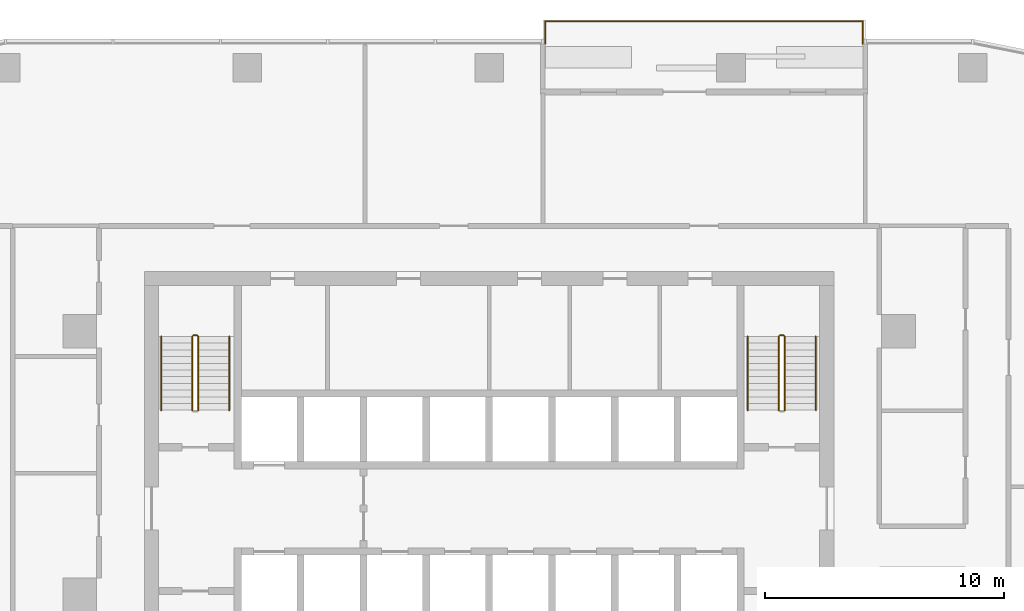
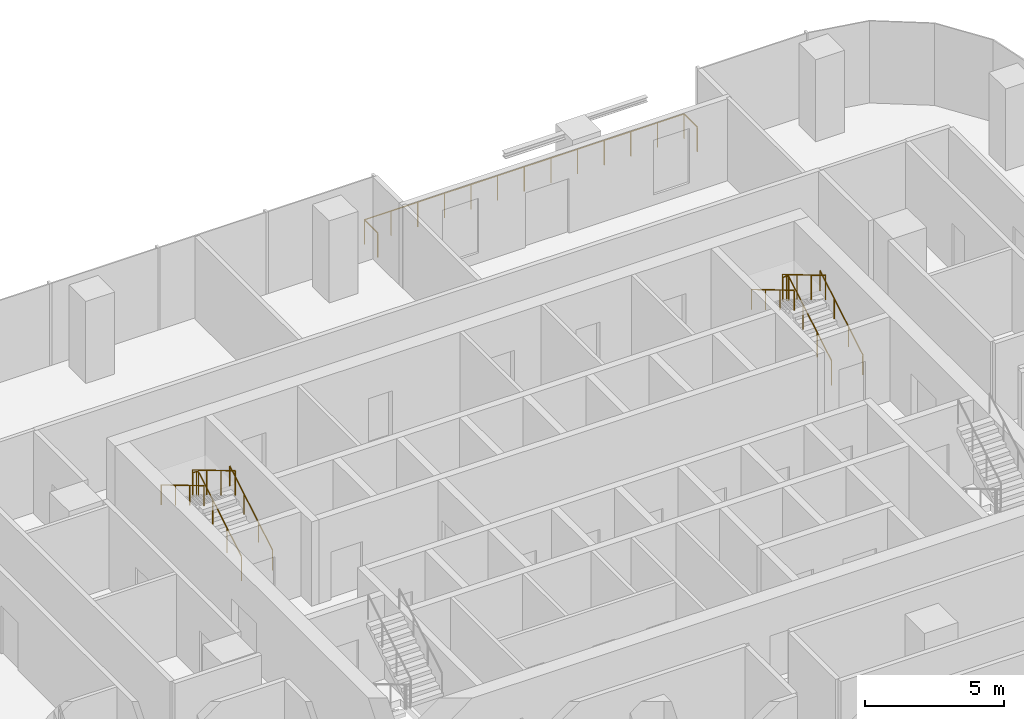
# One storey, part 14 of 14: 9 railings.
"""IFC4 building model written with IfcOpenShell, lengths in metres."""

from ifc_helpers import new_model, si_unit, direction, frame, origin, origin_2d, place, context, subcontext, project, spatial, circle, extrude, material, type_object, element, save


model = new_model("IFC4")

# Units and contexts
model_context = context("Model", 3, precision=1e-05, world=origin(), true_north=direction((0.0, 1.0)))
body_context = subcontext(model_context, "Body", "Model", "MODEL_VIEW")
ifc_project = project(units=[si_unit("LENGTHUNIT", "METRE"), si_unit("AREAUNIT", "SQUARE_METRE"), si_unit("VOLUMEUNIT", "CUBIC_METRE"), si_unit("PLANEANGLEUNIT", "RADIAN"), si_unit("MASSUNIT", "GRAM", prefix="KILO")], contexts=[model_context])

# Site, building, storey
site_placement = place(None, origin())
site = spatial("IfcSite", under=ifc_project, at=site_placement, CompositionType="ELEMENT")
building_placement = place(site_placement, origin())
building = spatial("IfcBuilding", under=site, at=building_placement, Name="Mopane Tessera Tower", CompositionType="ELEMENT")
storey_placement = place(building_placement, frame((0.0, 0.0, 185.0)))
storey = spatial("IfcBuildingStorey", under=building, at=storey_placement, Name="L38", CompositionType="ELEMENT", Elevation=185.0)

# Railings
ifc_material_1 = material(Name="Powder-coated steel balustrade", Category="steel")
railing_type_1 = type_object("IfcRailingType", Name="Escape stair guard 1100 mm", PredefinedType="GUARDRAIL", material=ifc_material_1)
railing_1_placement = place(storey_placement, frame((-12.14990234375, 7.699951171875, 0.166748046875)))
element("IfcRailing", 1, at=railing_1_placement, inside=storey, type_object=railing_type_1, Name="L38 ST2 stair guard 1", PredefinedType="GUARDRAIL", context=body_context, shape_type="SweptSolid", body=[
    extrude(circle(Radius=0.02392578125, at=origin_2d()), frame((0.0, 0.0, 1.076171875), z_axis=(0.0, 0.859308565015, 0.511457515432), x_axis=(-1.0, 0.0, 0.0)), (0.0, 0.0, 1.0), 3.58447265625),
    extrude(circle(Radius=0.02392578125, at=origin_2d()), frame((0.0, 3.080078125, 2.9091796875), z_axis=(-0.707106781187, 0.707106781187, 0.0), x_axis=(-0.707106781187, -0.707106781187, 0.0)), (0.0, 0.0, 1.0), 0.07080078125),
    extrude(circle(Radius=0.02392578125, at=origin_2d()), frame((-0.050048828125, 3.130126953125, 2.9091796875), z_axis=(-1.0, 0.0, 0.0), x_axis=(0.0, -1.0, 0.0)), (0.0, 0.0, 1.0), 0.150146484375),
    extrude(circle(Radius=0.02099609375, at=origin_2d()), origin(), (0.0, 0.0, 1.0), 1.052001953125),
    extrude(circle(Radius=0.02099609375, at=origin_2d()), frame((0.0, 1.026611328125, 0.611083984375)), (0.0, 0.0, 1.0), 1.052001953125),
    extrude(circle(Radius=0.02099609375, at=origin_2d()), frame((0.0, 2.053466796875, 1.22216796875)), (0.0, 0.0, 1.0), 1.052001953125),
    extrude(circle(Radius=0.02099609375, at=origin_2d()), frame((0.0, 3.080078125, 1.833251953125)), (0.0, 0.0, 1.0), 1.052001953125),
    extrude(circle(Radius=0.02099609375, at=origin_2d()), frame((-0.050048828125, 3.130126953125, 1.833251953125)), (0.0, 0.0, 1.0), 1.052001953125),
    extrude(circle(Radius=0.02099609375, at=origin_2d()), frame((-0.2001953125, 3.130126953125, 1.833251953125)), (0.0, 0.0, 1.0), 1.052001953125),
])
railing_2_placement = place(storey_placement, frame((-12.39990234375, 10.780029296875, 2.166748046875)))
element("IfcRailing", 2, at=railing_2_placement, inside=storey, type_object=railing_type_1, Name="L38 ST2 stair guard 2", PredefinedType="GUARDRAIL", context=body_context, shape_type="SweptSolid", body=[
    extrude(circle(Radius=0.02392578125, at=origin_2d()), frame((0.0, 0.0, 1.076171875), z_axis=(0.0, -0.859308565015, 0.511457515432), x_axis=(1.0, 0.0, 0.0)), (0.0, 0.0, 1.0), 3.58447265625),
    extrude(circle(Radius=0.02099609375, at=origin_2d()), origin(), (0.0, 0.0, 1.0), 1.052001953125),
    extrude(circle(Radius=0.02099609375, at=origin_2d()), frame((0.0, -1.026611328125, 0.611083984375)), (0.0, 0.0, 1.0), 1.052001953125),
    extrude(circle(Radius=0.02099609375, at=origin_2d()), frame((0.0, -2.053466796875, 1.22216796875)), (0.0, 0.0, 1.0), 1.052001953125),
    extrude(circle(Radius=0.02099609375, at=origin_2d()), frame((0.0, -3.080078125, 1.833251953125)), (0.0, 0.0, 1.0), 1.052001953125),
])
railing_3_placement = place(storey_placement, frame((12.35009765625, 7.699951171875, 0.166748046875)))
element("IfcRailing", 3, at=railing_3_placement, inside=storey, type_object=railing_type_1, Name="L38 ST4 stair guard 1", PredefinedType="GUARDRAIL", context=body_context, shape_type="SweptSolid", body=[
    extrude(circle(Radius=0.02392578125, at=origin_2d()), frame((0.0, 0.0, 1.076171875), z_axis=(0.0, 0.859308565015, 0.511457515432), x_axis=(-1.0, 0.0, 0.0)), (0.0, 0.0, 1.0), 3.58447265625),
    extrude(circle(Radius=0.02392578125, at=origin_2d()), frame((0.0, 3.080078125, 2.9091796875), z_axis=(-0.707106781187, 0.707106781187, 0.0), x_axis=(-0.707106781187, -0.707106781187, 0.0)), (0.0, 0.0, 1.0), 0.07080078125),
    extrude(circle(Radius=0.02392578125, at=origin_2d()), frame((-0.050048828125, 3.130126953125, 2.9091796875), z_axis=(-1.0, 0.0, 0.0), x_axis=(0.0, -1.0, 0.0)), (0.0, 0.0, 1.0), 0.150146484375),
    extrude(circle(Radius=0.02099609375, at=origin_2d()), origin(), (0.0, 0.0, 1.0), 1.052001953125),
    extrude(circle(Radius=0.02099609375, at=origin_2d()), frame((0.0, 1.026611328125, 0.611083984375)), (0.0, 0.0, 1.0), 1.052001953125),
    extrude(circle(Radius=0.02099609375, at=origin_2d()), frame((0.0, 2.053466796875, 1.22216796875)), (0.0, 0.0, 1.0), 1.052001953125),
    extrude(circle(Radius=0.02099609375, at=origin_2d()), frame((0.0, 3.080078125, 1.833251953125)), (0.0, 0.0, 1.0), 1.052001953125),
    extrude(circle(Radius=0.02099609375, at=origin_2d()), frame((-0.050048828125, 3.130126953125, 1.833251953125)), (0.0, 0.0, 1.0), 1.052001953125),
    extrude(circle(Radius=0.02099609375, at=origin_2d()), frame((-0.2001953125, 3.130126953125, 1.833251953125)), (0.0, 0.0, 1.0), 1.052001953125),
])
railing_4_placement = place(storey_placement, frame((12.10009765625, 10.780029296875, 2.166748046875)))
element("IfcRailing", 4, at=railing_4_placement, inside=storey, type_object=railing_type_1, Name="L38 ST4 stair guard 2", PredefinedType="GUARDRAIL", context=body_context, shape_type="SweptSolid", body=[
    extrude(circle(Radius=0.02392578125, at=origin_2d()), frame((0.0, 0.0, 1.076171875), z_axis=(0.0, -0.859308565015, 0.511457515432), x_axis=(1.0, 0.0, 0.0)), (0.0, 0.0, 1.0), 3.58447265625),
    extrude(circle(Radius=0.02099609375, at=origin_2d()), origin(), (0.0, 0.0, 1.0), 1.052001953125),
    extrude(circle(Radius=0.02099609375, at=origin_2d()), frame((0.0, -1.026611328125, 0.611083984375)), (0.0, 0.0, 1.0), 1.052001953125),
    extrude(circle(Radius=0.02099609375, at=origin_2d()), frame((0.0, -2.053466796875, 1.22216796875)), (0.0, 0.0, 1.0), 1.052001953125),
    extrude(circle(Radius=0.02099609375, at=origin_2d()), frame((0.0, -3.080078125, 1.833251953125)), (0.0, 0.0, 1.0), 1.052001953125),
])
ifc_material_2 = material(Name="Powder-coated steel balustrade", Category="steel")
railing_type_2 = type_object("IfcRailingType", Name="Escape stair handrail 900 mm", PredefinedType="HANDRAIL", material=ifc_material_2)
railing_5_placement = place(storey_placement, frame((-10.85009765625, 7.699951171875, 0.166748046875)))
element("IfcRailing", 5, at=railing_5_placement, inside=storey, type_object=railing_type_2, Name="L38 ST2 stair handrail 1", PredefinedType="HANDRAIL", context=body_context, shape_type="SweptSolid", body=[
    extrude(circle(Radius=0.02392578125, at=origin_2d()), frame((0.0, 0.0, 0.8759765625), z_axis=(0.0, 0.859308565015, 0.511457515432), x_axis=(-1.0, 0.0, 0.0)), (0.0, 0.0, 1.0), 3.58447265625),
    extrude(circle(Radius=0.02099609375, at=origin_2d()), origin(), (0.0, 0.0, 1.0), 0.851806640625),
    extrude(circle(Radius=0.02099609375, at=origin_2d()), frame((0.0, 1.026611328125, 0.611083984375)), (0.0, 0.0, 1.0), 0.851806640625),
    extrude(circle(Radius=0.02099609375, at=origin_2d()), frame((0.0, 2.053466796875, 1.22216796875)), (0.0, 0.0, 1.0), 0.851806640625),
    extrude(circle(Radius=0.02099609375, at=origin_2d()), frame((0.0, 3.080078125, 1.833251953125)), (0.0, 0.0, 1.0), 0.851806640625),
])
railing_6_placement = place(storey_placement, frame((-13.699951171875, 10.780029296875, 2.166748046875)))
element("IfcRailing", 6, at=railing_6_placement, inside=storey, type_object=railing_type_2, Name="L38 ST2 stair handrail 2", PredefinedType="HANDRAIL", context=body_context, shape_type="SweptSolid", body=[
    extrude(circle(Radius=0.02392578125, at=origin_2d()), frame((0.0, 0.0, 0.8759765625), z_axis=(0.0, -0.859308565015, 0.511457515432), x_axis=(1.0, 0.0, 0.0)), (0.0, 0.0, 1.0), 3.58447265625),
    extrude(circle(Radius=0.02099609375, at=origin_2d()), origin(), (0.0, 0.0, 1.0), 0.851806640625),
    extrude(circle(Radius=0.02099609375, at=origin_2d()), frame((0.0, -1.026611328125, 0.611083984375)), (0.0, 0.0, 1.0), 0.851806640625),
    extrude(circle(Radius=0.02099609375, at=origin_2d()), frame((0.0, -2.053466796875, 1.22216796875)), (0.0, 0.0, 1.0), 0.851806640625),
    extrude(circle(Radius=0.02099609375, at=origin_2d()), frame((0.0, -3.080078125, 1.833251953125)), (0.0, 0.0, 1.0), 0.851806640625),
])
railing_7_placement = place(storey_placement, frame((13.64990234375, 7.699951171875, 0.166748046875)))
element("IfcRailing", 7, at=railing_7_placement, inside=storey, type_object=railing_type_2, Name="L38 ST4 stair handrail 1", PredefinedType="HANDRAIL", context=body_context, shape_type="SweptSolid", body=[
    extrude(circle(Radius=0.02392578125, at=origin_2d()), frame((0.0, 0.0, 0.8759765625), z_axis=(0.0, 0.859308565015, 0.511457515432), x_axis=(-1.0, 0.0, 0.0)), (0.0, 0.0, 1.0), 3.58447265625),
    extrude(circle(Radius=0.02099609375, at=origin_2d()), origin(), (0.0, 0.0, 1.0), 0.851806640625),
    extrude(circle(Radius=0.02099609375, at=origin_2d()), frame((0.0, 1.026611328125, 0.611083984375)), (0.0, 0.0, 1.0), 0.851806640625),
    extrude(circle(Radius=0.02099609375, at=origin_2d()), frame((0.0, 2.053466796875, 1.22216796875)), (0.0, 0.0, 1.0), 0.851806640625),
    extrude(circle(Radius=0.02099609375, at=origin_2d()), frame((0.0, 3.080078125, 1.833251953125)), (0.0, 0.0, 1.0), 0.851806640625),
])
railing_8_placement = place(storey_placement, frame((10.800048828125, 10.780029296875, 2.166748046875)))
element("IfcRailing", 8, at=railing_8_placement, inside=storey, type_object=railing_type_2, Name="L38 ST4 stair handrail 2", PredefinedType="HANDRAIL", context=body_context, shape_type="SweptSolid", body=[
    extrude(circle(Radius=0.02392578125, at=origin_2d()), frame((0.0, 0.0, 0.8759765625), z_axis=(0.0, -0.859308565015, 0.511457515432), x_axis=(1.0, 0.0, 0.0)), (0.0, 0.0, 1.0), 3.58447265625),
    extrude(circle(Radius=0.02099609375, at=origin_2d()), origin(), (0.0, 0.0, 1.0), 0.851806640625),
    extrude(circle(Radius=0.02099609375, at=origin_2d()), frame((0.0, -1.026611328125, 0.611083984375)), (0.0, 0.0, 1.0), 0.851806640625),
    extrude(circle(Radius=0.02099609375, at=origin_2d()), frame((0.0, -2.053466796875, 1.22216796875)), (0.0, 0.0, 1.0), 0.851806640625),
    extrude(circle(Radius=0.02099609375, at=origin_2d()), frame((0.0, -3.080078125, 1.833251953125)), (0.0, 0.0, 1.0), 0.851806640625),
])
ifc_material_3 = material(Name="Stainless steel S316", Category="steel")
railing_type_3 = type_object("IfcRailingType", Name="Terrace guard 1100", PredefinedType="GUARDRAIL", material=ifc_material_3)
railing_9_placement = place(storey_placement, frame((15.611083984375, 23.0, 0.0)))
element("IfcRailing", 9, at=railing_9_placement, inside=storey, type_object=railing_type_3, Name="e:nw:L38:N3:guard", PredefinedType="GUARDRAIL", context=body_context, shape_type="SweptSolid", body=[
    extrude(circle(Radius=0.02392578125, at=origin_2d()), frame((0.0, 0.0, 1.076171875), z_axis=(0.0, 1.0, 0.0), x_axis=(-1.0, 0.0, 0.0)), (0.0, 0.0, 1.0), 0.949951171875),
    extrude(circle(Radius=0.02392578125, at=origin_2d()), frame((0.0, 0.949951171875, 1.076171875), z_axis=(-1.0, 0.0, 0.0), x_axis=(0.0, -1.0, 0.0)), (0.0, 0.0, 1.0), 13.2666015625),
    extrude(circle(Radius=0.02392578125, at=origin_2d()), frame((-13.2666015625, 0.949951171875, 1.076171875), z_axis=(0.0, -1.0, 0.0), x_axis=(1.0, 0.0, 0.0)), (0.0, 0.0, 1.0), 0.949951171875),
    extrude(circle(Radius=0.02099609375, at=origin_2d()), origin(), (0.0, 0.0, 1.0), 1.052001953125),
    extrude(circle(Radius=0.02099609375, at=origin_2d()), frame((0.0, 0.949951171875, 0.0)), (0.0, 0.0, 1.0), 1.052001953125),
    extrude(circle(Radius=0.02099609375, at=origin_2d()), frame((-1.10546875, 0.949951171875, 0.0)), (0.0, 0.0, 1.0), 1.052001953125),
    extrude(circle(Radius=0.02099609375, at=origin_2d()), frame((-2.211181640625, 0.949951171875, 0.0)), (0.0, 0.0, 1.0), 1.052001953125),
    extrude(circle(Radius=0.02099609375, at=origin_2d()), frame((-3.316650390625, 0.949951171875, 0.0)), (0.0, 0.0, 1.0), 1.052001953125),
    extrude(circle(Radius=0.02099609375, at=origin_2d()), frame((-4.422119140625, 0.949951171875, 0.0)), (0.0, 0.0, 1.0), 1.052001953125),
    extrude(circle(Radius=0.02099609375, at=origin_2d()), frame((-5.52783203125, 0.949951171875, 0.0)), (0.0, 0.0, 1.0), 1.052001953125),
    extrude(circle(Radius=0.02099609375, at=origin_2d()), frame((-6.63330078125, 0.949951171875, 0.0)), (0.0, 0.0, 1.0), 1.052001953125),
    extrude(circle(Radius=0.02099609375, at=origin_2d()), frame((-7.73876953125, 0.949951171875, 0.0)), (0.0, 0.0, 1.0), 1.052001953125),
    extrude(circle(Radius=0.02099609375, at=origin_2d()), frame((-8.844482421875, 0.949951171875, 0.0)), (0.0, 0.0, 1.0), 1.052001953125),
    extrude(circle(Radius=0.02099609375, at=origin_2d()), frame((-9.949951171875, 0.949951171875, 0.0)), (0.0, 0.0, 1.0), 1.052001953125),
    extrude(circle(Radius=0.02099609375, at=origin_2d()), frame((-11.055419921875, 0.949951171875, 0.0)), (0.0, 0.0, 1.0), 1.052001953125),
    extrude(circle(Radius=0.02099609375, at=origin_2d()), frame((-12.1611328125, 0.949951171875, 0.0)), (0.0, 0.0, 1.0), 1.052001953125),
    extrude(circle(Radius=0.02099609375, at=origin_2d()), frame((-13.2666015625, 0.949951171875, 0.0)), (0.0, 0.0, 1.0), 1.052001953125),
    extrude(circle(Radius=0.02099609375, at=origin_2d()), frame((-13.2666015625, 0.0, 0.0)), (0.0, 0.0, 1.0), 1.052001953125),
])

save(model, "model.ifc")
